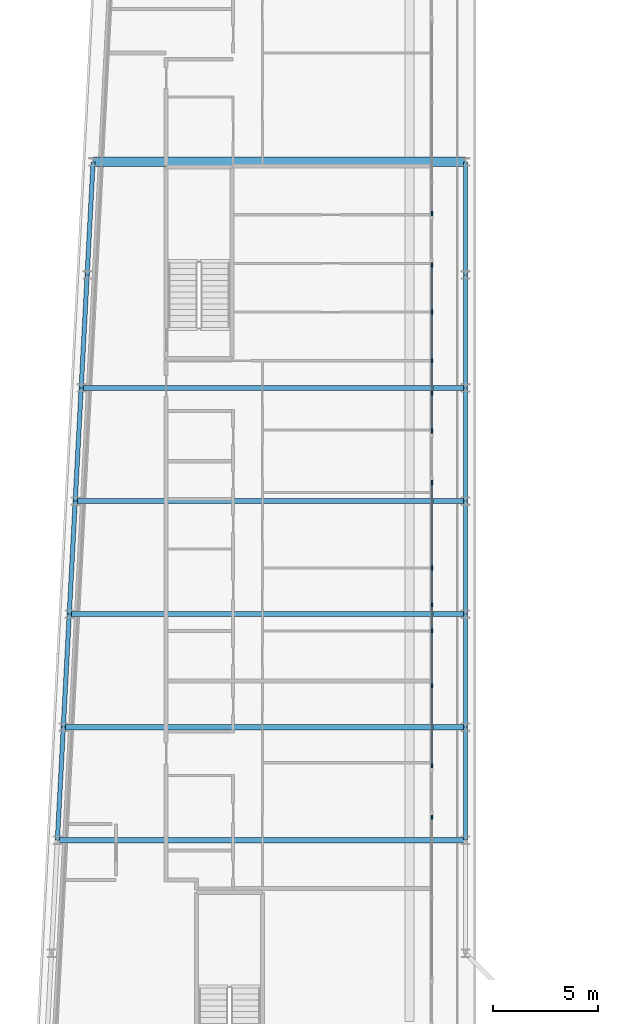
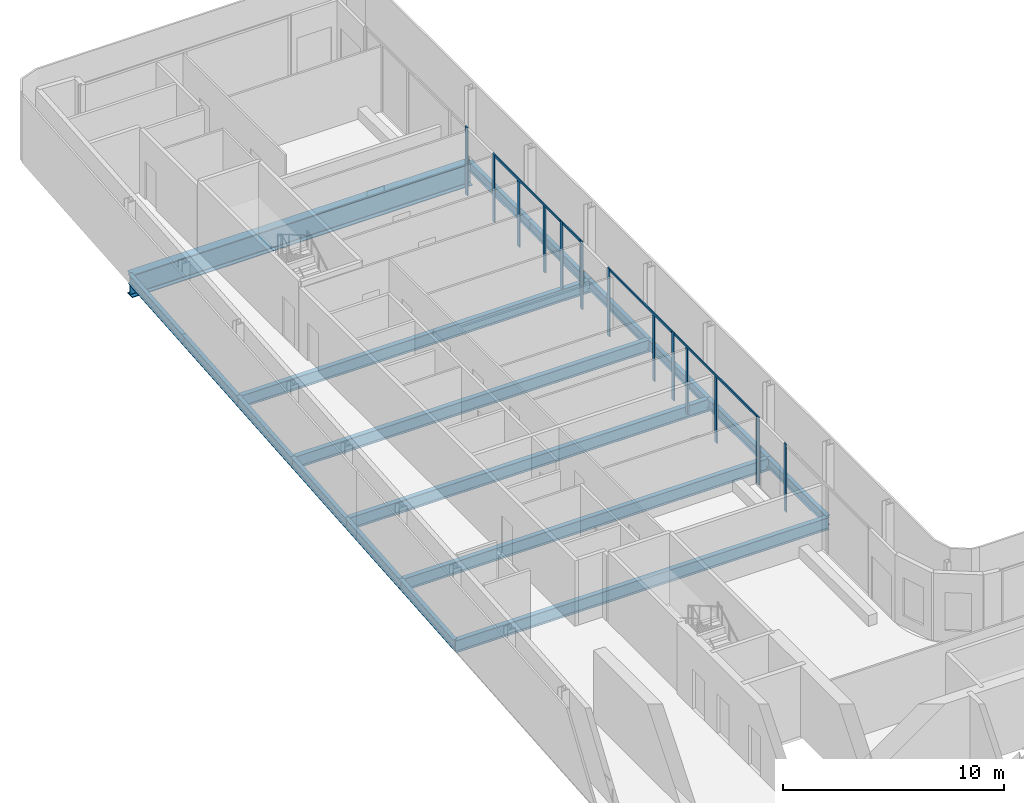
# One storey, part 7 of 21: 18 beams, 17 members, 6 elements without a shape of their own.
"""IFC4 building model written with IfcOpenShell, lengths in metres."""

from ifc_helpers import new_model, si_unit, direction, frame, origin, origin_2d, place, context, subcontext, project, spatial, rectangle, i_section, extrude, material, layer, layer_set, material_profile, profile_set, type_object, element, aggregate, save


model = new_model("IFC4")

# Units and contexts
model_context = context("Model", 3, precision=1e-05, world=origin(), true_north=direction((0.0, 1.0)))
body_context = subcontext(model_context, "Body", "Model", "MODEL_VIEW")
ifc_project = project(units=[si_unit("LENGTHUNIT", "METRE"), si_unit("AREAUNIT", "SQUARE_METRE"), si_unit("VOLUMEUNIT", "CUBIC_METRE"), si_unit("PLANEANGLEUNIT", "RADIAN"), si_unit("MASSUNIT", "GRAM", prefix="KILO")], contexts=[model_context])

# Site, building, storey
site_placement = place(None, origin())
site = spatial("IfcSite", under=ifc_project, at=site_placement, CompositionType="ELEMENT")
building_placement = place(site_placement, origin())
building = spatial("IfcBuilding", under=site, at=building_placement, Name="Kheshtan School and Residences Tower", CompositionType="ELEMENT")
storey_placement = place(building_placement, frame((0.0, 0.0, 290.300048828125)))
storey = spatial("IfcBuildingStorey", under=building, at=storey_placement, Name="L68", CompositionType="ELEMENT", Elevation=290.300048828125)

# Beams
ifc_material_1 = material(Name="Steel ASTM A992 Grade 50", Category="steel")
ifc_material_profile_1 = material_profile(ifc_material_1, i_section(OverallWidth=0.2529296875, OverallDepth=0.677978515625, WebThickness=0.01171875, FlangeThickness=0.016357421875, FilletRadius=0.0146484375, at=origin_2d()), Name="W690x125")
ifc_profile_set_1 = profile_set([ifc_material_profile_1], Name="Steel ASTM A992 Grade 50")
beam_type_1 = type_object("IfcBeamType", Name="Beam FB6 W690x125 ASTM A992 Grade 50", PredefinedType="BEAM", material=ifc_profile_set_1)
beam_1_placement = place(storey_placement, frame((47.60009765625, 78.0, -0.489013671875), z_axis=(-1.0, 0.0, 0.0), x_axis=(0.0, -1.0, 0.0)))
element("IfcBeam", 1, at=beam_1_placement, inside=storey, type_object=beam_type_1, Name="Floor beam C089", PredefinedType="BEAM", context=body_context, shape_type="SweptSolid", body=[
    extrude(i_section(OverallWidth=0.2529296875, OverallDepth=0.677978515625, WebThickness=0.01171875, FlangeThickness=0.016357421875, FilletRadius=0.0146484375, at=origin_2d()), origin(), (0.0, 0.0, 1.0), 18.357177734375),
])
beam_2_placement = place(storey_placement, frame((47.60009765625, 67.199951171875, -0.489013671875), z_axis=(-1.0, 0.0, 0.0), x_axis=(0.0, -1.0, 0.0)))
element("IfcBeam", 2, at=beam_2_placement, inside=storey, type_object=beam_type_1, Name="Floor beam C085", PredefinedType="BEAM", context=body_context, shape_type="SweptSolid", body=[
    extrude(i_section(OverallWidth=0.2529296875, OverallDepth=0.677978515625, WebThickness=0.01171875, FlangeThickness=0.016357421875, FilletRadius=0.0146484375, at=origin_2d()), origin(), (0.0, 0.0, 1.0), 18.926025390625),
])
beam_3_placement = place(storey_placement, frame((47.60009765625, 56.39990234375, -0.489013671875), z_axis=(-1.0, 0.0, 0.0), x_axis=(0.0, -1.0, 0.0)))
element("IfcBeam", 3, at=beam_3_placement, inside=storey, type_object=beam_type_1, Name="Floor beam C081", PredefinedType="BEAM", context=body_context, shape_type="SweptSolid", body=[
    extrude(i_section(OverallWidth=0.2529296875, OverallDepth=0.677978515625, WebThickness=0.01171875, FlangeThickness=0.016357421875, FilletRadius=0.0146484375, at=origin_2d()), origin(), (0.0, 0.0, 1.0), 19.494140625),
])
beam_4_placement = place(storey_placement, frame((28.389892578125, 61.800048828125, -0.489013671875), z_axis=(1.0, 0.0, 0.0), x_axis=(0.0, 1.0, 0.0)))
element("IfcBeam", 4, at=beam_4_placement, inside=storey, type_object=beam_type_1, Name="Floor beam C082", PredefinedType="BEAM", context=body_context, shape_type="SweptSolid", body=[
    extrude(i_section(OverallWidth=0.2529296875, OverallDepth=0.677978515625, WebThickness=0.01171875, FlangeThickness=0.016357421875, FilletRadius=0.0146484375, at=origin_2d()), origin(), (0.0, 0.0, 1.0), 19.210205078125),
])
beam_5_placement = place(storey_placement, frame((28.9580078125, 72.60009765625, -0.489013671875), z_axis=(1.0, 0.0, 0.0), x_axis=(0.0, 1.0, 0.0)))
element("IfcBeam", 5, at=beam_5_placement, inside=storey, type_object=beam_type_1, Name="Floor beam C086", PredefinedType="BEAM", context=body_context, shape_type="SweptSolid", body=[
    extrude(i_section(OverallWidth=0.2529296875, OverallDepth=0.677978515625, WebThickness=0.01171875, FlangeThickness=0.016357421875, FilletRadius=0.0146484375, at=origin_2d()), origin(), (0.0, 0.0, 1.0), 18.64208984375),
])
ifc_material_profile_2 = material_profile(ifc_material_1, i_section(OverallWidth=0.208984375, OverallDepth=0.532958984375, WebThickness=0.01025390625, FlangeThickness=0.015625, FilletRadius=0.013916015625, at=origin_2d()), Name="W530x92")
ifc_profile_set_2 = profile_set([ifc_material_profile_2], Name="Steel ASTM A992 Grade 50")
beam_type_2 = type_object("IfcBeamType", Name="Beam SP3 W530x92 ASTM A992 Grade 50", PredefinedType="BEAM", material=ifc_profile_set_2)
beam_6_placement = place(storey_placement, frame((47.60009765625, 88.800048828125, -0.41650390625), z_axis=(0.0, -1.0, 0.0), x_axis=(1.0, 0.0, 0.0)))
element("IfcBeam", 6, at=beam_6_placement, inside=storey, type_object=beam_type_2, Name="Spandrel beam C099-C091", PredefinedType="BEAM", context=body_context, shape_type="SweptSolid", body=[
    extrude(i_section(OverallWidth=0.208984375, OverallDepth=0.532958984375, WebThickness=0.01025390625, FlangeThickness=0.015625, FilletRadius=0.013916015625, at=origin_2d()), origin(), (0.0, 0.0, 1.0), 5.400146484375),
])
for number, where, z_axis, x_axis, name in (
    (7, (47.60009765625, 83.39990234375, -0.41650390625), (0.0, -1.0, 0.0), (1.0, 0.0, 0.0), "Spandrel beam C091-C089"),
    (8, (47.60009765625, 78.0, -0.41650390625), (0.0, -1.0, 0.0), (1.0, 0.0, 0.0), "Spandrel beam C089-C087"),
):
    element("IfcBeam", number, at=place(storey_placement, frame(where, z_axis=z_axis, x_axis=x_axis)), inside=storey, type_object=beam_type_2, Name=name, PredefinedType="BEAM", context=body_context, shape_type="SweptSolid", body=[
        extrude(i_section(OverallWidth=0.208984375, OverallDepth=0.532958984375, WebThickness=0.01025390625, FlangeThickness=0.015625, FilletRadius=0.013916015625, at=origin_2d()), origin(), (0.0, 0.0, 1.0), 5.39990234375),
    ])
beam_7_placement = place(storey_placement, frame((47.60009765625, 72.60009765625, -0.41650390625), z_axis=(0.0, -1.0, 0.0), x_axis=(1.0, 0.0, 0.0)))
element("IfcBeam", 9, at=beam_7_placement, inside=storey, type_object=beam_type_2, Name="Spandrel beam C087-C085", PredefinedType="BEAM", context=body_context, shape_type="SweptSolid", body=[
    extrude(i_section(OverallWidth=0.208984375, OverallDepth=0.532958984375, WebThickness=0.01025390625, FlangeThickness=0.015625, FilletRadius=0.013916015625, at=origin_2d()), origin(), (0.0, 0.0, 1.0), 5.400146484375),
])
beam_8_placement = place(storey_placement, frame((47.60009765625, 67.199951171875, -0.41650390625), z_axis=(0.0, -1.0, 0.0), x_axis=(1.0, 0.0, 0.0)))
element("IfcBeam", 10, at=beam_8_placement, inside=storey, type_object=beam_type_2, Name="Spandrel beam C085-C083", PredefinedType="BEAM", context=body_context, shape_type="SweptSolid", body=[
    extrude(i_section(OverallWidth=0.208984375, OverallDepth=0.532958984375, WebThickness=0.01025390625, FlangeThickness=0.015625, FilletRadius=0.013916015625, at=origin_2d()), origin(), (0.0, 0.0, 1.0), 5.39990234375),
])
beam_9_placement = place(storey_placement, frame((47.60009765625, 61.800048828125, -0.41650390625), z_axis=(0.0, -1.0, 0.0), x_axis=(1.0, 0.0, 0.0)))
element("IfcBeam", 11, at=beam_9_placement, inside=storey, type_object=beam_type_2, Name="Spandrel beam C083-C081", PredefinedType="BEAM", context=body_context, shape_type="SweptSolid", body=[
    extrude(i_section(OverallWidth=0.208984375, OverallDepth=0.532958984375, WebThickness=0.01025390625, FlangeThickness=0.015625, FilletRadius=0.013916015625, at=origin_2d()), origin(), (0.0, 0.0, 1.0), 5.400146484375),
])
beam_10_placement = place(storey_placement, frame((28.10595703125, 56.39990234375, -0.41650390625), z_axis=(0.05250670125, 0.998620571751, 0.0), x_axis=(-0.998620571751, 0.05250670125, 0.0)))
element("IfcBeam", 12, at=beam_10_placement, inside=storey, type_object=beam_type_2, Name="Spandrel beam C080-C082", PredefinedType="BEAM", context=body_context, shape_type="SweptSolid", body=[
    extrude(i_section(OverallWidth=0.208984375, OverallDepth=0.532958984375, WebThickness=0.01025390625, FlangeThickness=0.015625, FilletRadius=0.013916015625, at=origin_2d()), origin(), (0.0, 0.0, 1.0), 5.40771484375),
])
beam_11_placement = place(storey_placement, frame((28.389892578125, 61.800048828125, -0.41650390625), z_axis=(0.052554093665, 0.998618078766, 0.0), x_axis=(-0.998618078766, 0.052554093665, 0.0)))
element("IfcBeam", 13, at=beam_11_placement, inside=storey, type_object=beam_type_2, Name="Spandrel beam C082-C084", PredefinedType="BEAM", context=body_context, shape_type="SweptSolid", body=[
    extrude(i_section(OverallWidth=0.208984375, OverallDepth=0.532958984375, WebThickness=0.01025390625, FlangeThickness=0.015625, FilletRadius=0.013916015625, at=origin_2d()), origin(), (0.0, 0.0, 1.0), 5.407470703125),
])
beam_12_placement = place(storey_placement, frame((28.674072265625, 67.199951171875, -0.41650390625), z_axis=(0.05250670125, 0.998620571751, 0.0), x_axis=(-0.998620571751, 0.05250670125, 0.0)))
element("IfcBeam", 14, at=beam_12_placement, inside=storey, type_object=beam_type_2, Name="Spandrel beam C084-C086", PredefinedType="BEAM", context=body_context, shape_type="SweptSolid", body=[
    extrude(i_section(OverallWidth=0.208984375, OverallDepth=0.532958984375, WebThickness=0.01025390625, FlangeThickness=0.015625, FilletRadius=0.013916015625, at=origin_2d()), origin(), (0.0, 0.0, 1.0), 5.40771484375),
])
for number, where, z_axis, x_axis, name in (
    (15, (28.9580078125, 72.60009765625, -0.41650390625), (0.052689166816, 0.998610961136, 0.0), (-0.998610961136, 0.052689166816, 0.0), "Spandrel beam C086-C088"),
    (16, (29.242919921875, 78.0, -0.41650390625), (0.052554093665, 0.998618078766, 0.0), (-0.998618078766, 0.052554093665, 0.0), "Spandrel beam C088-C090"),
):
    element("IfcBeam", number, at=place(storey_placement, frame(where, z_axis=z_axis, x_axis=x_axis)), inside=storey, type_object=beam_type_2, Name=name, PredefinedType="BEAM", context=body_context, shape_type="SweptSolid", body=[
        extrude(i_section(OverallWidth=0.208984375, OverallDepth=0.532958984375, WebThickness=0.01025390625, FlangeThickness=0.015625, FilletRadius=0.013916015625, at=origin_2d()), origin(), (0.0, 0.0, 1.0), 5.407470703125),
    ])
beam_13_placement = place(storey_placement, frame((29.527099609375, 83.39990234375, -0.41650390625), z_axis=(0.05250670125, 0.998620571751, 0.0), x_axis=(-0.998620571751, 0.05250670125, 0.0)))
element("IfcBeam", 17, at=beam_13_placement, inside=storey, type_object=beam_type_2, Name="Spandrel beam C090-C098", PredefinedType="BEAM", context=body_context, shape_type="SweptSolid", body=[
    extrude(i_section(OverallWidth=0.208984375, OverallDepth=0.532958984375, WebThickness=0.01025390625, FlangeThickness=0.015625, FilletRadius=0.013916015625, at=origin_2d()), origin(), (0.0, 0.0, 1.0), 5.40771484375),
])

# Curtain wall, member
ifc_material_2 = material(Name="Clear low-e glass in thermally broken aluminium frame", Category="aluminium")
ifc_layer = layer(ifc_material_2, 0.199951171875)
ifc_layer_set = layer_set([ifc_layer], Name="Curtain wall CW-L")
curtain_wall_type = type_object("IfcCurtainWallType", Name="Curtain wall CW-L", PredefinedType="NOTDEFINED", material=ifc_layer_set)
curtain_wall_1_placement = place(storey_placement, origin())
curtain_wall_1 = element("IfcCurtainWall", 18, at=curtain_wall_1_placement, inside=storey, type_object=curtain_wall_type, Name="Curtain wall CWL8a", PredefinedType="NOTDEFINED")
ifc_material_3 = material(Name="Thermally broken aluminium, dark bronze anodised", Category="aluminium")
ifc_material_profile_3 = material_profile(ifc_material_3, rectangle(XDim=0.06005859375, YDim=0.199951171875, at=origin_2d()), Name="CW-L mullion 60x200")
ifc_profile_set_3 = profile_set([ifc_material_profile_3], Name="Thermally broken aluminium, dark bronze anodised")
member_type_1 = type_object("IfcMemberType", Name="CW-L mullion 60x200", PredefinedType="MULLION", material=ifc_profile_set_3)
member_1_placement = place(storey_placement, frame((46.0, 86.3359375, 0.0), z_axis=(0.0, 0.0, 1.0), x_axis=(1.0, 0.0, 0.0)))
member_1 = element("IfcMember", 19, at=member_1_placement, type_object=member_type_1, Name="CWL8a mullion 2", PredefinedType="MULLION", context=body_context, shape_type="SweptSolid", body=[
    extrude(rectangle(XDim=0.06005859375, YDim=0.199951171875, at=origin_2d()), origin(), (0.0, 0.0, 1.0), 3.75),
])
aggregate(curtain_wall_1, [member_1])

# Curtain wall, members
curtain_wall_2_placement = place(storey_placement, origin())
curtain_wall_2 = element("IfcCurtainWall", 20, at=curtain_wall_2_placement, inside=storey, type_object=curtain_wall_type, Name="Curtain wall CWL8b", PredefinedType="NOTDEFINED")
member_2_placement = place(storey_placement, frame((46.0, 83.8759765625, 0.0), z_axis=(0.0, 0.0, 1.0), x_axis=(1.0, 0.0, 0.0)))
member_2 = element("IfcMember", 21, at=member_2_placement, type_object=member_type_1, Name="CWL8b mullion 1", PredefinedType="MULLION", context=body_context, shape_type="SweptSolid", body=[
    extrude(rectangle(XDim=0.06005859375, YDim=0.199951171875, at=origin_2d()), origin(), (0.0, 0.0, 1.0), 3.75),
])
member_3_placement = place(storey_placement, frame((46.0, 81.625, 0.0), z_axis=(0.0, 0.0, 1.0), x_axis=(1.0, 0.0, 0.0)))
member_3 = element("IfcMember", 22, at=member_3_placement, type_object=member_type_1, Name="CWL8b mullion 2", PredefinedType="MULLION", context=body_context, shape_type="SweptSolid", body=[
    extrude(rectangle(XDim=0.06005859375, YDim=0.199951171875, at=origin_2d()), origin(), (0.0, 0.0, 1.0), 3.6298828125),
])
member_4_placement = place(storey_placement, frame((46.0, 79.300048828125, 0.0), z_axis=(0.0, 0.0, 1.0), x_axis=(1.0, 0.0, 0.0)))
member_4 = element("IfcMember", 23, at=member_4_placement, type_object=member_type_1, Name="CWL8b mullion 3", PredefinedType="MULLION", context=body_context, shape_type="SweptSolid", body=[
    extrude(rectangle(XDim=0.06005859375, YDim=0.199951171875, at=origin_2d()), origin(), (0.0, 0.0, 1.0), 3.6298828125),
])
member_5_placement = place(storey_placement, frame((46.0, 77.741943359375, 0.0), z_axis=(0.0, 0.0, 1.0), x_axis=(1.0, 0.0, 0.0)))
member_5 = element("IfcMember", 24, at=member_5_placement, type_object=member_type_1, Name="CWL8b mullion 4", PredefinedType="MULLION", context=body_context, shape_type="SweptSolid", body=[
    extrude(rectangle(XDim=0.06005859375, YDim=0.199951171875, at=origin_2d()), origin(), (0.0, 0.0, 1.0), 3.75),
])

# Curtain wall, member
curtain_wall_3_placement = place(storey_placement, origin())
curtain_wall_3 = element("IfcCurtainWall", 25, at=curtain_wall_3_placement, inside=storey, type_object=curtain_wall_type, Name="Curtain wall CWL8e", PredefinedType="NOTDEFINED")
member_6_placement = place(storey_placement, frame((46.0, 75.94189453125, 0.0), z_axis=(0.0, 0.0, 1.0), x_axis=(1.0, 0.0, 0.0)))
member_6 = element("IfcMember", 26, at=member_6_placement, type_object=member_type_1, Name="CWL8e mullion 2", PredefinedType="MULLION", context=body_context, shape_type="SweptSolid", body=[
    extrude(rectangle(XDim=0.06005859375, YDim=0.199951171875, at=origin_2d()), origin(), (0.0, 0.0, 1.0), 3.75),
])

# Curtain wall, members
curtain_wall_4_placement = place(storey_placement, origin())
curtain_wall_4 = element("IfcCurtainWall", 27, at=curtain_wall_4_placement, inside=storey, type_object=curtain_wall_type, Name="Curtain wall CWL8m", PredefinedType="NOTDEFINED")
member_7_placement = place(storey_placement, frame((46.0, 73.48193359375, 0.0), z_axis=(0.0, 0.0, 1.0), x_axis=(1.0, 0.0, 0.0)))
member_7 = element("IfcMember", 28, at=member_7_placement, type_object=member_type_1, Name="CWL8m mullion 1", PredefinedType="MULLION", context=body_context, shape_type="SweptSolid", body=[
    extrude(rectangle(XDim=0.06005859375, YDim=0.199951171875, at=origin_2d()), origin(), (0.0, 0.0, 1.0), 3.75),
])
member_8_placement = place(storey_placement, frame((46.0, 69.39990234375, 0.0), z_axis=(0.0, 0.0, 1.0), x_axis=(1.0, 0.0, 0.0)))
member_8 = element("IfcMember", 29, at=member_8_placement, type_object=member_type_1, Name="CWL8m mullion 2", PredefinedType="MULLION", context=body_context, shape_type="SweptSolid", body=[
    extrude(rectangle(XDim=0.06005859375, YDim=0.199951171875, at=origin_2d()), origin(), (0.0, 0.0, 1.0), 3.6298828125),
])
member_9_placement = place(storey_placement, frame((46.0, 67.64794921875, 0.0), z_axis=(0.0, 0.0, 1.0), x_axis=(1.0, 0.0, 0.0)))
member_9 = element("IfcMember", 30, at=member_9_placement, type_object=member_type_1, Name="CWL8m mullion 3", PredefinedType="MULLION", context=body_context, shape_type="SweptSolid", body=[
    extrude(rectangle(XDim=0.06005859375, YDim=0.199951171875, at=origin_2d()), origin(), (0.0, 0.0, 1.0), 3.75),
])

curtain_wall_5_placement = place(storey_placement, origin())
curtain_wall_5 = element("IfcCurtainWall", 31, at=curtain_wall_5_placement, inside=storey, type_object=curtain_wall_type, Name="Curtain wall CWL8c", PredefinedType="NOTDEFINED")
member_10_placement = place(storey_placement, frame((46.0, 66.39990234375, 0.0), z_axis=(0.0, 0.0, 1.0), x_axis=(1.0, 0.0, 0.0)))
member_10 = element("IfcMember", 32, at=member_10_placement, type_object=member_type_1, Name="CWL8c mullion 2", PredefinedType="MULLION", context=body_context, shape_type="SweptSolid", body=[
    extrude(rectangle(XDim=0.06005859375, YDim=0.199951171875, at=origin_2d()), origin(), (0.0, 0.0, 1.0), 3.6298828125),
])
member_11_placement = place(storey_placement, frame((46.0, 63.77099609375, 0.0), z_axis=(0.0, 0.0, 1.0), x_axis=(1.0, 0.0, 0.0)))
member_11 = element("IfcMember", 33, at=member_11_placement, type_object=member_type_1, Name="CWL8c mullion 3", PredefinedType="MULLION", context=body_context, shape_type="SweptSolid", body=[
    extrude(rectangle(XDim=0.06005859375, YDim=0.199951171875, at=origin_2d()), origin(), (0.0, 0.0, 1.0), 3.6298828125),
])
member_12_placement = place(storey_placement, frame((46.0, 59.9541015625, 0.0), z_axis=(0.0, 0.0, 1.0), x_axis=(1.0, 0.0, 0.0)))
member_12 = element("IfcMember", 34, at=member_12_placement, type_object=member_type_1, Name="CWL8c mullion 4", PredefinedType="MULLION", context=body_context, shape_type="SweptSolid", body=[
    extrude(rectangle(XDim=0.06005859375, YDim=0.199951171875, at=origin_2d()), origin(), (0.0, 0.0, 1.0), 3.75),
])

# Curtain wall, member
curtain_wall_6_placement = place(storey_placement, origin())
curtain_wall_6 = element("IfcCurtainWall", 35, at=curtain_wall_6_placement, inside=storey, type_object=curtain_wall_type, Name="Curtain wall CWL8", PredefinedType="NOTDEFINED")
member_13_placement = place(storey_placement, frame((46.0, 57.493896484375, 0.0), z_axis=(0.0, 0.0, 1.0), x_axis=(1.0, 0.0, 0.0)))
member_13 = element("IfcMember", 36, at=member_13_placement, type_object=member_type_1, Name="CWL8 mullion 1", PredefinedType="MULLION", context=body_context, shape_type="SweptSolid", body=[
    extrude(rectangle(XDim=0.06005859375, YDim=0.199951171875, at=origin_2d()), origin(), (0.0, 0.0, 1.0), 3.75),
])
aggregate(curtain_wall_6, [member_13])

# Member
ifc_material_profile_4 = material_profile(ifc_material_3, rectangle(XDim=0.06005859375, YDim=0.1201171875, at=origin_2d()), Name="CW-L transom 60x120")
ifc_profile_set_4 = profile_set([ifc_material_profile_4], Name="Thermally broken aluminium, dark bronze anodised")
member_type_2 = type_object("IfcMemberType", Name="CW-L transom 60x120", PredefinedType="USERDEFINED", material=ifc_profile_set_4)
member_14_placement = place(storey_placement, frame((46.0, 83.845947265625, 3.68994140625), z_axis=(0.0, -1.0, 0.0), x_axis=(1.0, 0.0, 0.0)))
member_14 = element("IfcMember", 37, at=member_14_placement, type_object=member_type_2, Name="CWL8b transom 1", ObjectType="TRANSOM", PredefinedType="USERDEFINED", context=body_context, shape_type="SweptSolid", body=[
    extrude(rectangle(XDim=0.06005859375, YDim=0.1201171875, at=origin_2d()), origin(), (0.0, 0.0, 1.0), 6.073974609375),
])

aggregate(curtain_wall_2, [member_2, member_3, member_4, member_5, member_14])

member_15_placement = place(storey_placement, frame((46.0, 77.7119140625, 3.68994140625), z_axis=(0.0, -1.0, 0.0), x_axis=(1.0, 0.0, 0.0)))
member_15 = element("IfcMember", 38, at=member_15_placement, type_object=member_type_2, Name="CWL8e transom 1", ObjectType="TRANSOM", PredefinedType="USERDEFINED", context=body_context, shape_type="SweptSolid", body=[
    extrude(rectangle(XDim=0.06005859375, YDim=0.1201171875, at=origin_2d()), origin(), (0.0, 0.0, 1.0), 1.739990234375),
])

aggregate(curtain_wall_3, [member_6, member_15])

member_16_placement = place(storey_placement, frame((46.0, 73.451904296875, 3.68994140625), z_axis=(0.0, -1.0, 0.0), x_axis=(1.0, 0.0, 0.0)))
member_16 = element("IfcMember", 39, at=member_16_placement, type_object=member_type_2, Name="CWL8m transom 1", ObjectType="TRANSOM", PredefinedType="USERDEFINED", context=body_context, shape_type="SweptSolid", body=[
    extrude(rectangle(XDim=0.06005859375, YDim=0.1201171875, at=origin_2d()), origin(), (0.0, 0.0, 1.0), 5.77392578125),
])

aggregate(curtain_wall_4, [member_7, member_8, member_9, member_16])

member_17_placement = place(storey_placement, frame((46.0, 67.617919921875, 3.68994140625), z_axis=(0.0, -1.0, 0.0), x_axis=(1.0, 0.0, 0.0)))
member_17 = element("IfcMember", 40, at=member_17_placement, type_object=member_type_2, Name="CWL8c transom 1", ObjectType="TRANSOM", PredefinedType="USERDEFINED", context=body_context, shape_type="SweptSolid", body=[
    extrude(rectangle(XDim=0.06005859375, YDim=0.1201171875, at=origin_2d()), origin(), (0.0, 0.0, 1.0), 7.634033203125),
])

aggregate(curtain_wall_5, [member_10, member_11, member_12, member_17])

# Beam
ifc_material_profile_5 = material_profile(ifc_material_1, i_section(OverallWidth=0.449951171875, OverallDepth=1.25, WebThickness=0.02490234375, FlangeThickness=0.044921875, FilletRadius=0.03759765625, at=origin_2d()), Name="WWF1250x546")
ifc_profile_set_5 = profile_set([ifc_material_profile_5], Name="Steel ASTM A992 Grade 50")
beam_type_3 = type_object("IfcBeamType", Name="Transfer girder TG4 WWF1250x546 ASTM A992 Grade 50", PredefinedType="BEAM", material=ifc_profile_set_5)
beam_14_placement = place(storey_placement, frame((29.81103515625, 88.800048828125, -0.775146484375), z_axis=(1.0, 0.0, 0.0), x_axis=(0.0, 1.0, 0.0)))
element("IfcBeam", 41, at=beam_14_placement, inside=storey, type_object=beam_type_3, Name="Transfer girder C098-C099", PredefinedType="BEAM", context=body_context, shape_type="SweptSolid", body=[
    extrude(i_section(OverallWidth=0.449951171875, OverallDepth=1.25, WebThickness=0.02490234375, FlangeThickness=0.044921875, FilletRadius=0.03759765625, at=origin_2d()), origin(), (0.0, 0.0, 1.0), 17.7890625),
])

save(model, "model.ifc")
